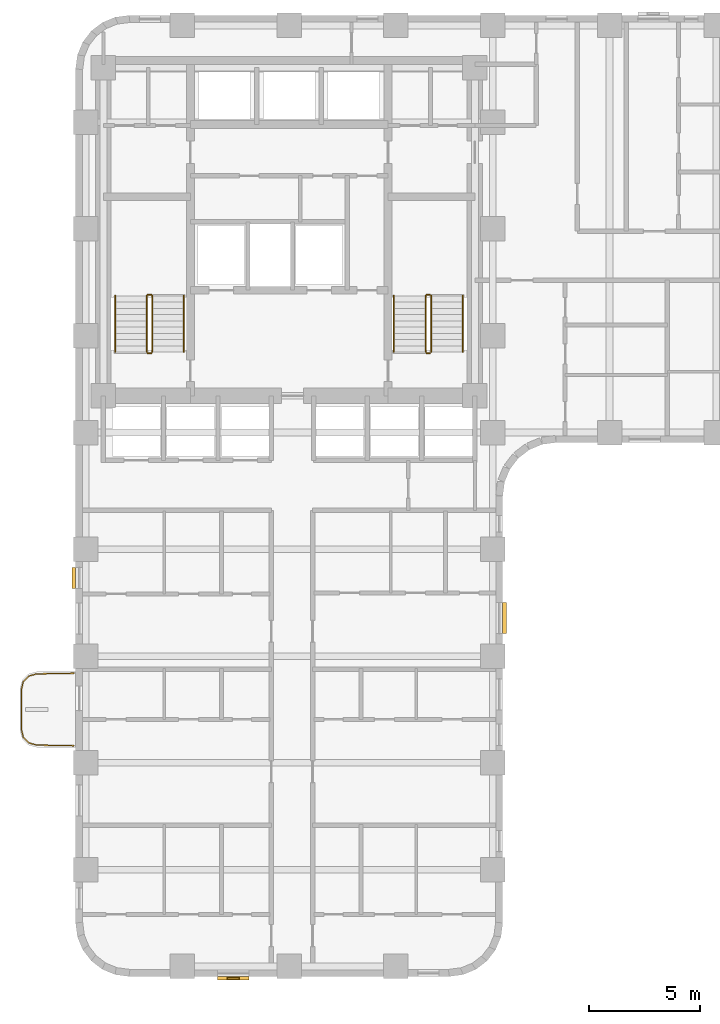
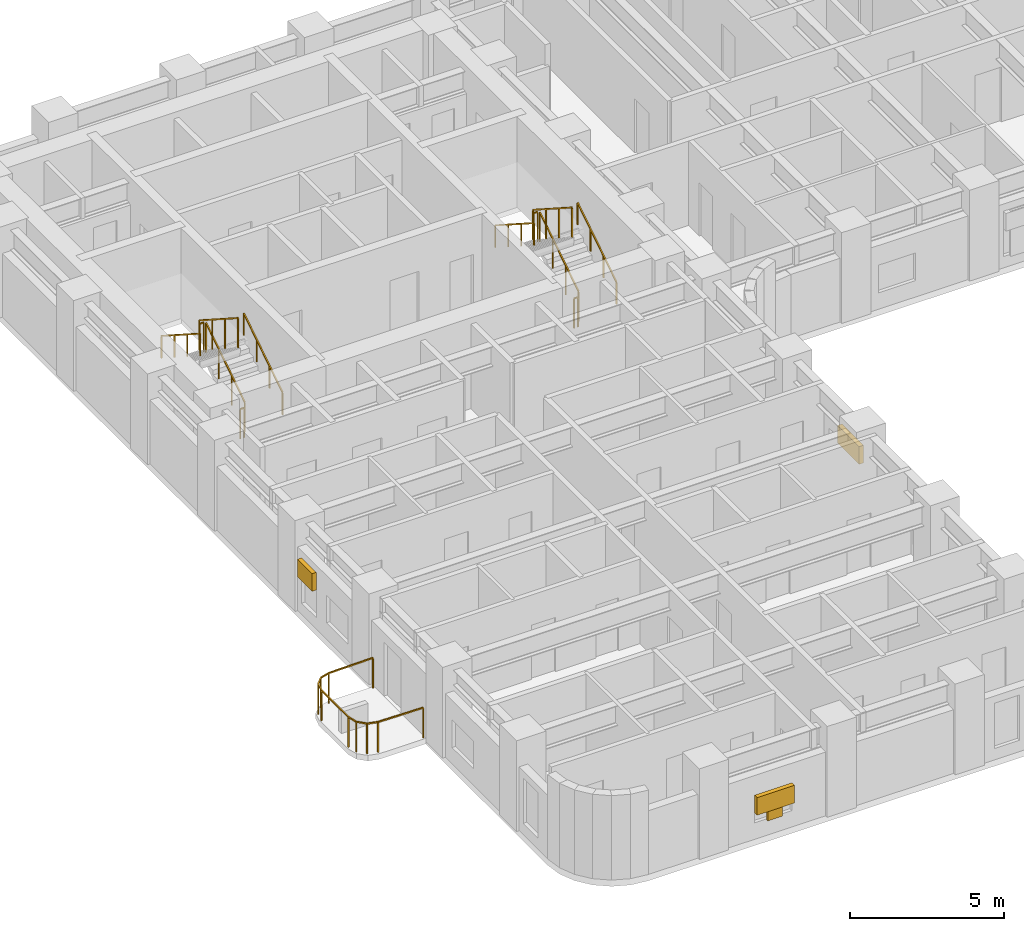
# One storey, part 9 of 10: 13 railings, 4 shading devices.
"""IFC4 building model written with IfcOpenShell, lengths in metres."""

from ifc_helpers import new_model, si_unit, direction, frame, origin, origin_2d, place, context, subcontext, project, spatial, rectangle, extrude, material, type_object, element, save


model = new_model("IFC4")

# Units and contexts
model_context = context("Model", 3, precision=1e-05, world=origin(), true_north=direction((0.0, 1.0)))
body_context = subcontext(model_context, "Body", "Model", "MODEL_VIEW")
ifc_project = project(units=[si_unit("LENGTHUNIT", "METRE"), si_unit("AREAUNIT", "SQUARE_METRE"), si_unit("VOLUMEUNIT", "CUBIC_METRE"), si_unit("PLANEANGLEUNIT", "RADIAN"), si_unit("MASSUNIT", "GRAM", prefix="KILO")], contexts=[model_context])

# Site, building, storey
site_placement = place(None, origin())
site = spatial("IfcSite", under=ifc_project, at=site_placement, CompositionType="ELEMENT")
building_placement = place(site_placement, origin())
building = spatial("IfcBuilding", under=site, at=building_placement, Name="Orvandelia Arch Residences", CompositionType="ELEMENT")
storey_placement = place(building_placement, frame((0.0, 0.0, 32.199951171875)))
storey = spatial("IfcBuildingStorey", under=building, at=storey_placement, Name="L07", CompositionType="ELEMENT", Elevation=32.199951171875)

# Railings
ifc_material_1 = material(Name="Marine-Grade Stainless Steel 316", Category="steel")
railing_type_1 = type_object("IfcRailingType", Name="GRD-BAL-1200", PredefinedType="BALUSTRADE", material=ifc_material_1)
railing_1_placement = place(storey_placement, frame((4.728271484375, 18.430419921875, 0.0)))
element("IfcRailing", 1, at=railing_1_placement, inside=storey, type_object=railing_type_1, Name="Safety Balustrade Guard GRD-L07-BAL-L07-W1-1", PredefinedType="BALUSTRADE", context=body_context, shape_type="SweptSolid", body=[
    extrude(rectangle(XDim=0.048095703125, YDim=0.048095703125, at=origin_2d()), frame((0.0, 0.0, 1.19580078125), z_axis=(-0.999834751713, -0.018178813668, 0.0), x_axis=(0.018178813668, -0.999834751713, 0.0)), (0.0, 0.0, 1.0), 1.6787109375),
    extrude(rectangle(XDim=0.048095703125, YDim=0.048095703125, at=origin_2d()), frame((-1.678466796875, -0.030517578125, 1.19580078125), z_axis=(-0.96348920644, -0.267747173792, 0.0), x_axis=(0.267747173792, -0.96348920644, 0.0)), (0.0, 0.0, 1.0), 0.36572265625),
    extrude(rectangle(XDim=0.048095703125, YDim=0.048095703125, at=origin_2d()), frame((-2.03076171875, -0.12841796875, 1.19580078125), z_axis=(-0.688627404251, -0.725115368831, 0.0), x_axis=(0.725115368831, -0.688627404251, 0.0)), (0.0, 0.0, 1.0), 0.367919921875),
    extrude(rectangle(XDim=0.048095703125, YDim=0.048095703125, at=origin_2d()), frame((-2.2841796875, -0.395263671875, 1.19580078125), z_axis=(-0.220602419982, -0.975363815352, 0.0), x_axis=(0.975363815352, -0.220602419982, 0.0)), (0.0, 0.0, 1.0), 0.373046875),
    extrude(rectangle(XDim=0.048095703125, YDim=0.048095703125, at=origin_2d()), frame((-2.366455078125, -0.759033203125, 1.19580078125), z_axis=(0.0, -1.0, 0.0), x_axis=(1.0, 0.0, 0.0)), (0.0, 0.0, 1.0), 1.74267578125),
    extrude(rectangle(XDim=0.048095703125, YDim=0.048095703125, at=origin_2d()), frame((-2.366455078125, -2.501708984375, 1.19580078125), z_axis=(0.220602419982, -0.975363815352, 0.0), x_axis=(0.975363815352, 0.220602419982, 0.0)), (0.0, 0.0, 1.0), 0.373046875),
    extrude(rectangle(XDim=0.048095703125, YDim=0.048095703125, at=origin_2d()), frame((-2.2841796875, -2.865478515625, 1.19580078125), z_axis=(0.688296224633, -0.725429739642, 0.0), x_axis=(0.725429739642, 0.688296224633, 0.0)), (0.0, 0.0, 1.0), 0.3681640625),
    extrude(rectangle(XDim=0.048095703125, YDim=0.048095703125, at=origin_2d()), frame((-2.03076171875, -3.132568359375, 1.19580078125), z_axis=(0.96348920644, -0.267747173792, 0.0), x_axis=(0.267747173792, 0.96348920644, 0.0)), (0.0, 0.0, 1.0), 0.36572265625),
    extrude(rectangle(XDim=0.048095703125, YDim=0.048095703125, at=origin_2d()), frame((-1.678466796875, -3.23046875, 1.19580078125), z_axis=(0.999837384468, -0.018033430643, 0.0), x_axis=(0.018033430643, 0.999837384468, 0.0)), (0.0, 0.0, 1.0), 1.6787109375),
    extrude(rectangle(XDim=0.0419921875, YDim=0.0419921875, at=origin_2d()), origin(), (0.0, 0.0, 1.0), 1.171875),
    extrude(rectangle(XDim=0.0419921875, YDim=0.0419921875, at=origin_2d()), frame((-1.678466796875, -0.030517578125, 0.0)), (0.0, 0.0, 1.0), 1.171875),
    extrude(rectangle(XDim=0.0419921875, YDim=0.0419921875, at=origin_2d()), frame((-2.03076171875, -0.12841796875, 0.0)), (0.0, 0.0, 1.0), 1.171875),
    extrude(rectangle(XDim=0.0419921875, YDim=0.0419921875, at=origin_2d()), frame((-2.2841796875, -0.395263671875, 0.0)), (0.0, 0.0, 1.0), 1.171875),
    extrude(rectangle(XDim=0.0419921875, YDim=0.0419921875, at=origin_2d()), frame((-2.366455078125, -0.759033203125, 0.0)), (0.0, 0.0, 1.0), 1.171875),
    extrude(rectangle(XDim=0.0419921875, YDim=0.0419921875, at=origin_2d()), frame((-2.366455078125, -2.501708984375, 0.0)), (0.0, 0.0, 1.0), 1.171875),
    extrude(rectangle(XDim=0.0419921875, YDim=0.0419921875, at=origin_2d()), frame((-2.2841796875, -2.865478515625, 0.0)), (0.0, 0.0, 1.0), 1.171875),
    extrude(rectangle(XDim=0.0419921875, YDim=0.0419921875, at=origin_2d()), frame((-2.03076171875, -3.132568359375, 0.0)), (0.0, 0.0, 1.0), 1.171875),
    extrude(rectangle(XDim=0.0419921875, YDim=0.0419921875, at=origin_2d()), frame((-1.678466796875, -3.23046875, 0.0)), (0.0, 0.0, 1.0), 1.171875),
    extrude(rectangle(XDim=0.0419921875, YDim=0.0419921875, at=origin_2d()), frame((0.0, -3.2607421875, 0.0)), (0.0, 0.0, 1.0), 1.171875),
])
ifc_material_2 = material(Name="Brushed Stainless Steel 304", Category="steel")
railing_type_2 = type_object("IfcRailingType", Name="RL-STAIR-GD1120", PredefinedType="GUARDRAIL", material=ifc_material_2)
railing_2_placement = place(storey_placement, frame((8.25, 32.8701171875, 0.179931640625)))
element("IfcRailing", 2, at=railing_2_placement, inside=storey, type_object=railing_type_2, Name="L07 ST-1 stair guard 1", PredefinedType="GUARDRAIL", context=body_context, shape_type="SweptSolid", body=[
    extrude(rectangle(XDim=0.048095703125, YDim=0.048095703125, at=origin_2d()), frame((0.0, 0.0, 1.17578125), z_axis=(0.0, 0.841138753965, 0.540819375188), x_axis=(-1.0, 0.0, 0.0)), (0.0, 0.0, 1.0), 2.99560546875),
    extrude(rectangle(XDim=0.0419921875, YDim=0.0419921875, at=origin_2d()), origin(), (0.0, 0.0, 1.0), 1.15185546875),
    extrude(rectangle(XDim=0.0419921875, YDim=0.0419921875, at=origin_2d()), frame((0.0, 0.83984375, 0.5400390625)), (0.0, 0.0, 1.0), 1.15185546875),
    extrude(rectangle(XDim=0.0419921875, YDim=0.0419921875, at=origin_2d()), frame((0.0, 1.679931640625, 1.080078125)), (0.0, 0.0, 1.0), 1.15185546875),
    extrude(rectangle(XDim=0.0419921875, YDim=0.0419921875, at=origin_2d()), frame((0.0, 2.519775390625, 1.6201171875)), (0.0, 0.0, 1.0), 1.15185546875),
])
railing_3_placement = place(storey_placement, frame((8.199951171875, 35.43994140625, 1.800048828125)))
element("IfcRailing", 3, at=railing_3_placement, inside=storey, type_object=railing_type_2, Name="L07 ST-1 stair guard 2", PredefinedType="GUARDRAIL", context=body_context, shape_type="SweptSolid", body=[
    extrude(rectangle(XDim=0.048095703125, YDim=0.048095703125, at=origin_2d()), frame((0.0, 0.0, 1.17578125), z_axis=(-1.0, 0.0, 0.0), x_axis=(0.0, -1.0, 0.0)), (0.0, 0.0, 1.0), 0.14990234375),
    extrude(rectangle(XDim=0.0419921875, YDim=0.0419921875, at=origin_2d()), origin(), (0.0, 0.0, 1.0), 1.15185546875),
    extrude(rectangle(XDim=0.0419921875, YDim=0.0419921875, at=origin_2d()), frame((-0.14990234375, 0.0, 0.0)), (0.0, 0.0, 1.0), 1.15185546875),
])
railing_4_placement = place(storey_placement, frame((8.0, 35.389892578125, 1.97998046875)))
element("IfcRailing", 4, at=railing_4_placement, inside=storey, type_object=railing_type_2, Name="L07 ST-1 stair guard 3", PredefinedType="GUARDRAIL", context=body_context, shape_type="SweptSolid", body=[
    extrude(rectangle(XDim=0.048095703125, YDim=0.048095703125, at=origin_2d()), frame((0.0, 0.0, 1.17578125), z_axis=(0.0, -0.841138753965, 0.540819375188), x_axis=(1.0, 0.0, 0.0)), (0.0, 0.0, 1.0), 2.99560546875),
    extrude(rectangle(XDim=0.0419921875, YDim=0.0419921875, at=origin_2d()), origin(), (0.0, 0.0, 1.0), 1.15185546875),
    extrude(rectangle(XDim=0.0419921875, YDim=0.0419921875, at=origin_2d()), frame((0.0, -0.83984375, 0.5400390625)), (0.0, 0.0, 1.0), 1.15185546875),
    extrude(rectangle(XDim=0.0419921875, YDim=0.0419921875, at=origin_2d()), frame((0.0, -1.679931640625, 1.080078125)), (0.0, 0.0, 1.0), 1.15185546875),
    extrude(rectangle(XDim=0.0419921875, YDim=0.0419921875, at=origin_2d()), frame((0.0, -2.519775390625, 1.6201171875)), (0.0, 0.0, 1.0), 1.15185546875),
])
railing_5_placement = place(storey_placement, frame((8.199951171875, 32.820068359375, 0.0)))
element("IfcRailing", 5, at=railing_5_placement, inside=storey, type_object=railing_type_2, Name="L07 ST-1 stair guard 4", PredefinedType="GUARDRAIL", context=body_context, shape_type="SweptSolid", body=[
    extrude(rectangle(XDim=0.048095703125, YDim=0.048095703125, at=origin_2d()), frame((0.0, 0.0, 1.17578125), z_axis=(-1.0, 0.0, 0.0), x_axis=(0.0, -1.0, 0.0)), (0.0, 0.0, 1.0), 0.14990234375),
    extrude(rectangle(XDim=0.0419921875, YDim=0.0419921875, at=origin_2d()), origin(), (0.0, 0.0, 1.0), 1.15185546875),
    extrude(rectangle(XDim=0.0419921875, YDim=0.0419921875, at=origin_2d()), frame((-0.14990234375, 0.0, 0.0)), (0.0, 0.0, 1.0), 1.15185546875),
])
railing_6_placement = place(storey_placement, frame((20.780029296875, 32.8701171875, 0.179931640625)))
element("IfcRailing", 6, at=railing_6_placement, inside=storey, type_object=railing_type_2, Name="L07 ST-2 stair guard 1", PredefinedType="GUARDRAIL", context=body_context, shape_type="SweptSolid", body=[
    extrude(rectangle(XDim=0.048095703125, YDim=0.048095703125, at=origin_2d()), frame((0.0, 0.0, 1.17578125), z_axis=(0.0, 0.841138753965, 0.540819375188), x_axis=(-1.0, 0.0, 0.0)), (0.0, 0.0, 1.0), 2.99560546875),
    extrude(rectangle(XDim=0.0419921875, YDim=0.0419921875, at=origin_2d()), origin(), (0.0, 0.0, 1.0), 1.15185546875),
    extrude(rectangle(XDim=0.0419921875, YDim=0.0419921875, at=origin_2d()), frame((0.0, 0.83984375, 0.5400390625)), (0.0, 0.0, 1.0), 1.15185546875),
    extrude(rectangle(XDim=0.0419921875, YDim=0.0419921875, at=origin_2d()), frame((0.0, 1.679931640625, 1.080078125)), (0.0, 0.0, 1.0), 1.15185546875),
    extrude(rectangle(XDim=0.0419921875, YDim=0.0419921875, at=origin_2d()), frame((0.0, 2.519775390625, 1.6201171875)), (0.0, 0.0, 1.0), 1.15185546875),
])
railing_7_placement = place(storey_placement, frame((20.72998046875, 35.43994140625, 1.800048828125)))
element("IfcRailing", 7, at=railing_7_placement, inside=storey, type_object=railing_type_2, Name="L07 ST-2 stair guard 2", PredefinedType="GUARDRAIL", context=body_context, shape_type="SweptSolid", body=[
    extrude(rectangle(XDim=0.048095703125, YDim=0.048095703125, at=origin_2d()), frame((0.0, 0.0, 1.17578125), z_axis=(-1.0, 0.0, 0.0), x_axis=(0.0, -1.0, 0.0)), (0.0, 0.0, 1.0), 0.14990234375),
    extrude(rectangle(XDim=0.0419921875, YDim=0.0419921875, at=origin_2d()), origin(), (0.0, 0.0, 1.0), 1.15185546875),
    extrude(rectangle(XDim=0.0419921875, YDim=0.0419921875, at=origin_2d()), frame((-0.14990234375, 0.0, 0.0)), (0.0, 0.0, 1.0), 1.15185546875),
])
railing_8_placement = place(storey_placement, frame((20.530029296875, 35.389892578125, 1.97998046875)))
element("IfcRailing", 8, at=railing_8_placement, inside=storey, type_object=railing_type_2, Name="L07 ST-2 stair guard 3", PredefinedType="GUARDRAIL", context=body_context, shape_type="SweptSolid", body=[
    extrude(rectangle(XDim=0.048095703125, YDim=0.048095703125, at=origin_2d()), frame((0.0, 0.0, 1.17578125), z_axis=(0.0, -0.841138753965, 0.540819375188), x_axis=(1.0, 0.0, 0.0)), (0.0, 0.0, 1.0), 2.99560546875),
    extrude(rectangle(XDim=0.0419921875, YDim=0.0419921875, at=origin_2d()), origin(), (0.0, 0.0, 1.0), 1.15185546875),
    extrude(rectangle(XDim=0.0419921875, YDim=0.0419921875, at=origin_2d()), frame((0.0, -0.83984375, 0.5400390625)), (0.0, 0.0, 1.0), 1.15185546875),
    extrude(rectangle(XDim=0.0419921875, YDim=0.0419921875, at=origin_2d()), frame((0.0, -1.679931640625, 1.080078125)), (0.0, 0.0, 1.0), 1.15185546875),
    extrude(rectangle(XDim=0.0419921875, YDim=0.0419921875, at=origin_2d()), frame((0.0, -2.519775390625, 1.6201171875)), (0.0, 0.0, 1.0), 1.15185546875),
])
railing_9_placement = place(storey_placement, frame((20.72998046875, 32.820068359375, 0.0)))
element("IfcRailing", 9, at=railing_9_placement, inside=storey, type_object=railing_type_2, Name="L07 ST-2 stair guard 4", PredefinedType="GUARDRAIL", context=body_context, shape_type="SweptSolid", body=[
    extrude(rectangle(XDim=0.048095703125, YDim=0.048095703125, at=origin_2d()), frame((0.0, 0.0, 1.17578125), z_axis=(-1.0, 0.0, 0.0), x_axis=(0.0, -1.0, 0.0)), (0.0, 0.0, 1.0), 0.14990234375),
    extrude(rectangle(XDim=0.0419921875, YDim=0.0419921875, at=origin_2d()), origin(), (0.0, 0.0, 1.0), 1.15185546875),
    extrude(rectangle(XDim=0.0419921875, YDim=0.0419921875, at=origin_2d()), frame((-0.14990234375, 0.0, 0.0)), (0.0, 0.0, 1.0), 1.15185546875),
])
railing_type_3 = type_object("IfcRailingType", Name="RL-STAIR-HR920", PredefinedType="HANDRAIL", material=ifc_material_2)
railing_10_placement = place(storey_placement, frame((9.669921875, 32.8701171875, 0.360107421875)))
element("IfcRailing", 10, at=railing_10_placement, inside=storey, type_object=railing_type_3, Name="L07 ST-1 stair handrail 1", PredefinedType="HANDRAIL", context=body_context, shape_type="SweptSolid", body=[
    extrude(rectangle(XDim=0.048095703125, YDim=0.048095703125, at=origin_2d()), frame((0.0, 0.0, 0.8759765625), z_axis=(0.0, 0.841175827307, 0.540761710511), x_axis=(-1.0, 0.0, 0.0)), (0.0, 0.0, 1.0), 2.99560546875),
    extrude(rectangle(XDim=0.0419921875, YDim=0.0419921875, at=origin_2d()), origin(), (0.0, 0.0, 1.0), 0.851806640625),
    extrude(rectangle(XDim=0.0419921875, YDim=0.0419921875, at=origin_2d()), frame((0.0, 0.83984375, 0.5400390625)), (0.0, 0.0, 1.0), 0.851806640625),
    extrude(rectangle(XDim=0.0419921875, YDim=0.0419921875, at=origin_2d()), frame((0.0, 1.679931640625, 1.079833984375)), (0.0, 0.0, 1.0), 0.851806640625),
    extrude(rectangle(XDim=0.0419921875, YDim=0.0419921875, at=origin_2d()), frame((0.0, 2.519775390625, 1.619873046875)), (0.0, 0.0, 1.0), 0.851806640625),
])
railing_11_placement = place(storey_placement, frame((6.580078125, 35.389892578125, 2.16015625)))
element("IfcRailing", 11, at=railing_11_placement, inside=storey, type_object=railing_type_3, Name="L07 ST-1 stair handrail 2", PredefinedType="HANDRAIL", context=body_context, shape_type="SweptSolid", body=[
    extrude(rectangle(XDim=0.048095703125, YDim=0.048095703125, at=origin_2d()), frame((0.0, 0.0, 0.8759765625), z_axis=(0.0, -0.841175827307, 0.540761710511), x_axis=(1.0, 0.0, 0.0)), (0.0, 0.0, 1.0), 2.99560546875),
    extrude(rectangle(XDim=0.0419921875, YDim=0.0419921875, at=origin_2d()), origin(), (0.0, 0.0, 1.0), 0.851806640625),
    extrude(rectangle(XDim=0.0419921875, YDim=0.0419921875, at=origin_2d()), frame((0.0, -0.83984375, 0.5400390625)), (0.0, 0.0, 1.0), 0.851806640625),
    extrude(rectangle(XDim=0.0419921875, YDim=0.0419921875, at=origin_2d()), frame((0.0, -1.679931640625, 1.079833984375)), (0.0, 0.0, 1.0), 0.851806640625),
    extrude(rectangle(XDim=0.0419921875, YDim=0.0419921875, at=origin_2d()), frame((0.0, -2.519775390625, 1.619873046875)), (0.0, 0.0, 1.0), 0.851806640625),
])
railing_12_placement = place(storey_placement, frame((22.199951171875, 32.8701171875, 0.360107421875)))
element("IfcRailing", 12, at=railing_12_placement, inside=storey, type_object=railing_type_3, Name="L07 ST-2 stair handrail 1", PredefinedType="HANDRAIL", context=body_context, shape_type="SweptSolid", body=[
    extrude(rectangle(XDim=0.048095703125, YDim=0.048095703125, at=origin_2d()), frame((0.0, 0.0, 0.8759765625), z_axis=(0.0, 0.841175827307, 0.540761710511), x_axis=(-1.0, 0.0, 0.0)), (0.0, 0.0, 1.0), 2.99560546875),
    extrude(rectangle(XDim=0.0419921875, YDim=0.0419921875, at=origin_2d()), origin(), (0.0, 0.0, 1.0), 0.851806640625),
    extrude(rectangle(XDim=0.0419921875, YDim=0.0419921875, at=origin_2d()), frame((0.0, 0.83984375, 0.5400390625)), (0.0, 0.0, 1.0), 0.851806640625),
    extrude(rectangle(XDim=0.0419921875, YDim=0.0419921875, at=origin_2d()), frame((0.0, 1.679931640625, 1.079833984375)), (0.0, 0.0, 1.0), 0.851806640625),
    extrude(rectangle(XDim=0.0419921875, YDim=0.0419921875, at=origin_2d()), frame((0.0, 2.519775390625, 1.619873046875)), (0.0, 0.0, 1.0), 0.851806640625),
])
railing_13_placement = place(storey_placement, frame((19.110107421875, 35.389892578125, 2.16015625)))
element("IfcRailing", 13, at=railing_13_placement, inside=storey, type_object=railing_type_3, Name="L07 ST-2 stair handrail 2", PredefinedType="HANDRAIL", context=body_context, shape_type="SweptSolid", body=[
    extrude(rectangle(XDim=0.048095703125, YDim=0.048095703125, at=origin_2d()), frame((0.0, 0.0, 0.8759765625), z_axis=(0.0, -0.841175827307, 0.540761710511), x_axis=(1.0, 0.0, 0.0)), (0.0, 0.0, 1.0), 2.99560546875),
    extrude(rectangle(XDim=0.0419921875, YDim=0.0419921875, at=origin_2d()), origin(), (0.0, 0.0, 1.0), 0.851806640625),
    extrude(rectangle(XDim=0.0419921875, YDim=0.0419921875, at=origin_2d()), frame((0.0, -0.83984375, 0.5400390625)), (0.0, 0.0, 1.0), 0.851806640625),
    extrude(rectangle(XDim=0.0419921875, YDim=0.0419921875, at=origin_2d()), frame((0.0, -1.679931640625, 1.079833984375)), (0.0, 0.0, 1.0), 0.851806640625),
    extrude(rectangle(XDim=0.0419921875, YDim=0.0419921875, at=origin_2d()), frame((0.0, -2.519775390625, 1.619873046875)), (0.0, 0.0, 1.0), 0.851806640625),
])

# Shading devices
ifc_material_3 = material(Name="Anodised Champagne-Bronze Extruded Aluminium", Category="aluminium")
shading_device_type_1 = type_object("IfcShadingDeviceType", Name="SHD-JALOUSIE-SCREEN", PredefinedType="JALOUSIE", material=ifc_material_3)
for number, where, z_axis, x_axis, name in (
    (14, (24.080078125, 20.905029296875, 1.05029296875), (0.0, 0.0, 1.0), (0.0, -1.0, 0.0), "Bronze Jalousie Sun-Shade L07-008"),
    (15, (11.885009765625, 4.719970703125, 1.05029296875), (0.0, 0.0, 1.0), (-1.0, 0.0, 0.0), "Bronze Jalousie Sun-Shade L07-009"),
):
    element("IfcShadingDevice", number, at=place(storey_placement, frame(where, z_axis=z_axis, x_axis=x_axis)), inside=storey, type_object=shading_device_type_1, Name=name, PredefinedType="JALOUSIE", context=body_context, shape_type="SweptSolid", body=[
        extrude(rectangle(XDim=1.39990234375, YDim=0.159912109375, at=origin_2d()), origin(), (0.0, 0.0, 1.0), 0.699951171875),
    ])
shading_device_1_placement = place(storey_placement, frame((4.719970703125, 22.715087890625, 1.55029296875), z_axis=(0.0, 0.0, 1.0), x_axis=(0.0, 1.0, 0.0)))
element("IfcShadingDevice", 16, at=shading_device_1_placement, inside=storey, type_object=shading_device_type_1, Name="Bronze Jalousie Sun-Shade L07-010", PredefinedType="JALOUSIE", context=body_context, shape_type="SweptSolid", body=[
    extrude(rectangle(XDim=0.949951171875, YDim=0.159912109375, at=origin_2d()), origin(), (0.0, 0.0, 1.0), 0.699951171875),
])
ifc_material_4 = material(Name="Marine-Grade Perforated Aluminium Storm Shutter", Category="aluminium")
shading_device_type_2 = type_object("IfcShadingDeviceType", Name="SHD-STORM-SHUTTER", PredefinedType="SHUTTER", material=ifc_material_4)
shading_device_2_placement = place(storey_placement, frame((11.885009765625, 4.719970703125, 0.64990234375), z_axis=(0.0, 0.0, 1.0), x_axis=(-1.0, 0.0, 0.0)))
element("IfcShadingDevice", 17, at=shading_device_2_placement, inside=storey, type_object=shading_device_type_2, Name="Operable Typhoon Storm Shutter L07-009", PredefinedType="SHUTTER", context=body_context, shape_type="SweptSolid", body=[
    extrude(rectangle(XDim=0.550048828125, YDim=0.080078125, at=origin_2d()), origin(), (0.0, 0.0, 1.0), 1.10009765625),
])

save(model, "model.ifc")
